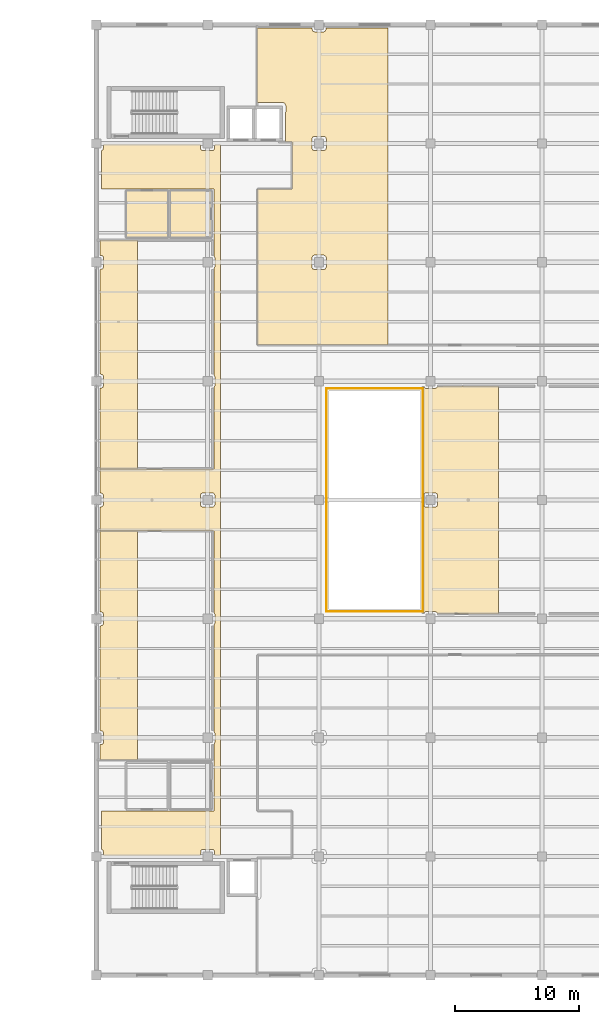
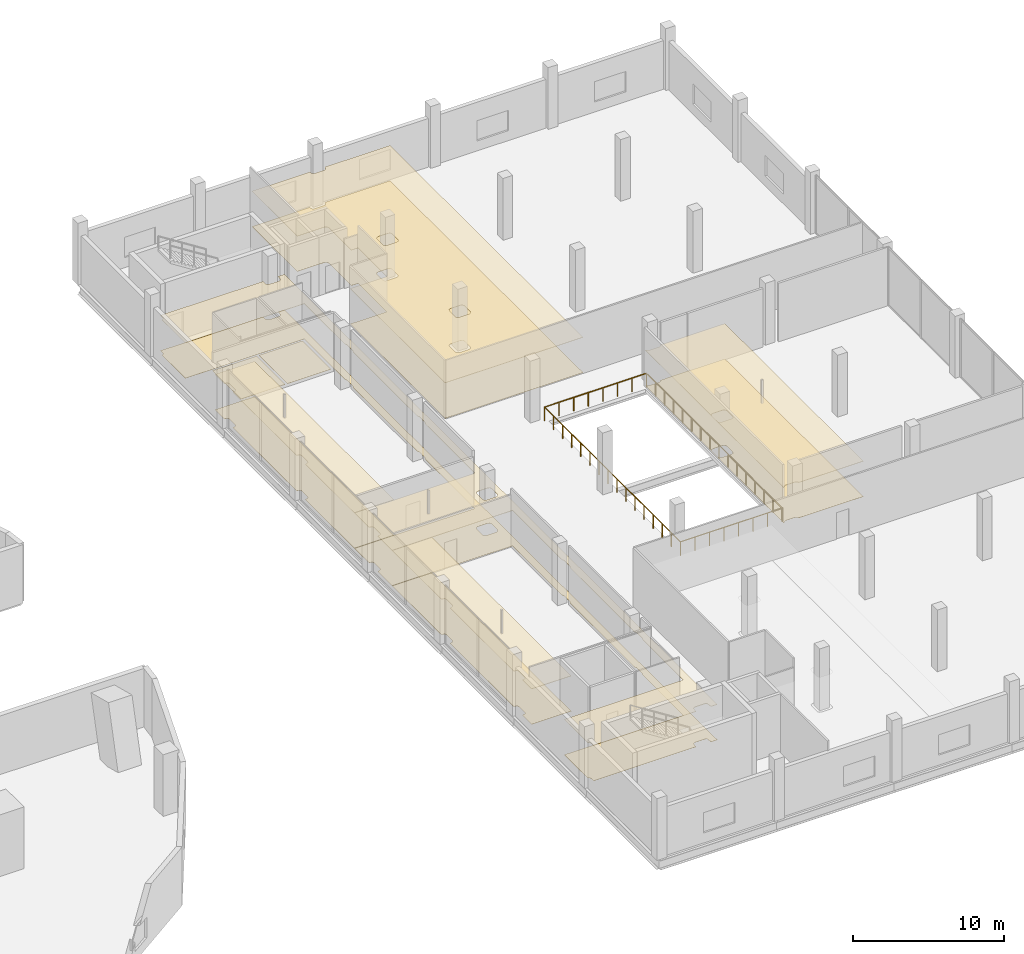
# One storey, part 46 of 47: 12 coverings, 4 railings.
"""IFC4 building model written with IfcOpenShell, lengths in metres."""

from ifc_helpers import new_model, si_unit, direction, frame, origin, origin_2d, place, context, subcontext, project, spatial, polyline, circle, outline, extrude, material, layer, layer_set, type_object, element, save


model = new_model("IFC4")

# Units and contexts
model_context = context("Model", 3, precision=1e-05, world=origin(), true_north=direction((0.0, 1.0)))
body_context = subcontext(model_context, "Body", "Model", "MODEL_VIEW")
ifc_project = project(units=[si_unit("LENGTHUNIT", "METRE"), si_unit("AREAUNIT", "SQUARE_METRE"), si_unit("VOLUMEUNIT", "CUBIC_METRE"), si_unit("PLANEANGLEUNIT", "RADIAN"), si_unit("MASSUNIT", "GRAM", prefix="KILO")], contexts=[model_context])

# Site, building, storey
site_placement = place(None, origin())
site = spatial("IfcSite", under=ifc_project, at=site_placement, CompositionType="ELEMENT")
building_placement = place(site_placement, origin())
building = spatial("IfcBuilding", under=site, at=building_placement, Name="Qorvath Tower", CompositionType="ELEMENT")
storey_placement = place(building_placement, frame((0.0, 0.0, 12.0)))
storey = spatial("IfcBuildingStorey", under=building, at=storey_placement, Name="L02", CompositionType="ELEMENT", Elevation=12.0)

# Coverings
ifc_material_1 = material(Name="Acoustic mineral fibre ceiling tile", Category="gypsum")
ifc_layer_1 = layer(ifc_material_1, 0.030029296875)
ifc_layer_set_1 = layer_set([ifc_layer_1], Name="COV-CEIL")
covering_type_1 = type_object("IfcCoveringType", Name="COV-CEIL", PredefinedType="CEILING", material=ifc_layer_set_1)
covering_1_placement = place(storey_placement, frame((0.0, 0.0, 2.85009765625)))
element("IfcCovering", 1, at=covering_1_placement, inside=storey, type_object=covering_type_1, Name="L02 Suspended Acoustic Ceiling 005", PredefinedType="CEILING", context=body_context, shape_type="SweptSolid", body=[
    extrude(outline(polyline([(41.97998046875, -19.574951171875), (41.92138671875, -19.717529296875), (41.903564453125, -25.12353515625), (32.804931640625, -25.125), (32.804931640625, -28.23193359375), (32.921142578125, -28.28173828125), (32.979736328125, -28.423095703125), (32.97998046875, -28.71240234375), (40.820068359375, -28.699951171875), (40.881591796875, -28.279052734375), (41.02490234375, -28.219970703125), (41.77490234375, -28.219970703125), (41.921142578125, -28.28173828125), (41.97998046875, -28.699951171875), (42.455078125, -28.698486328125), (42.455078125, 28.708251953125), (41.97998046875, 28.7099609375), (41.921142578125, 28.28173828125), (41.77490234375, 28.219970703125), (41.02490234375, 28.219970703125), (40.881591796875, 28.279052734375), (40.820068359375, 28.425048828125), (40.820068359375, 28.7099609375), (32.97998046875, 28.722412109375), (32.979736328125, 28.423095703125), (32.921142578125, 28.28173828125), (32.804931640625, 28.23193359375), (32.804931640625, 25.125), (41.905029296875, 25.1201171875), (41.905029296875, 19.724365234375), (41.97998046875, 19.574951171875), (41.97998046875, 18.824951171875), (41.905029296875, 18.675537109375), (41.905029296875, 10.12451171875), (41.97998046875, 9.97509765625), (41.97998046875, 9.22509765625), (41.905029296875, 9.07568359375), (41.905029296875, 2.5), (32.68505859375, 2.4951171875), (32.68505859375, 0.578857421875), (32.917724609375, 0.521240234375), (32.979736328125, 0.376953125), (32.97998046875, -0.375), (32.917724609375, -0.521240234375), (32.68505859375, -0.578857421875), (32.68505859375, -2.4951171875), (41.903564453125, -2.49658203125), (41.905029296875, -9.07568359375), (41.97998046875, -9.22509765625), (41.97998046875, -9.97509765625), (41.905029296875, -10.12451171875), (41.905029296875, -18.675537109375), (41.97998046875, -18.824951171875), (41.97998046875, -19.574951171875)]), holes=[polyline([(40.87890625, -0.518310546875), (40.820068359375, -0.375), (40.820068359375, 0.375), (40.881591796875, 0.52099609375), (41.02490234375, 0.580078125), (41.77490234375, 0.580078125), (41.921142578125, 0.518310546875), (41.97998046875, 0.375), (41.97998046875, -0.375), (41.918212890625, -0.52099609375), (41.77490234375, -0.580078125), (41.02490234375, -0.580078125), (40.87890625, -0.518310546875)])]), origin(), (0.0, 0.0, 1.0), 0.030029296875),
])
covering_2_placement = place(storey_placement, frame((0.0, 0.0, 2.85009765625)))
element("IfcCovering", 2, at=covering_2_placement, inside=storey, type_object=covering_type_1, Name="L02 Suspended Acoustic Ceiling 006", PredefinedType="CEILING", context=body_context, shape_type="SweptSolid", body=[
    extrude(outline(polyline([(45.405029296875, 38.114990234375), (45.405029296875, 32.110107421875), (47.4599609375, 32.110107421875), (47.63671875, 32.036865234375), (47.7099609375, 31.860107421875), (47.69873046875, 28.9130859375), (48.212890625, 28.907958984375), (48.21142578125, 25.1083984375), (45.4130859375, 25.10693359375), (45.4130859375, 12.512939453125), (55.97509765625, 12.51025390625), (55.97509765625, 38.114990234375), (50.97900390625, 38.114990234375), (50.92138671875, 37.88232421875), (50.77685546875, 37.8203125), (50.02490234375, 37.820068359375), (49.878662109375, 37.88232421875), (49.821044921875, 38.114990234375), (45.405029296875, 38.114990234375)]), holes=[polyline([(50.77685546875, 29.379638671875), (50.921142578125, 29.318359375), (50.97998046875, 29.175048828125), (50.97998046875, 28.425048828125), (50.921142578125, 28.28173828125), (50.77490234375, 28.219970703125), (50.02490234375, 28.219970703125), (49.881591796875, 28.279052734375), (49.820068359375, 28.425048828125), (49.820068359375, 29.175048828125), (49.87890625, 29.318359375), (50.02490234375, 29.3798828125), (50.77685546875, 29.379638671875)]), polyline([(50.921142578125, 19.71826171875), (50.97998046875, 19.574951171875), (50.97998046875, 18.824951171875), (50.918212890625, 18.678955078125), (50.77490234375, 18.6201171875), (50.02490234375, 18.6201171875), (49.87890625, 18.681640625), (49.820068359375, 18.824951171875), (49.820068359375, 19.574951171875), (49.881591796875, 19.720947265625), (50.02490234375, 19.780029296875), (50.77490234375, 19.780029296875), (50.921142578125, 19.71826171875)])]), origin(), (0.0, 0.0, 1.0), 0.030029296875),
])
covering_3_placement = place(storey_placement, frame((0.0, 0.0, 2.85009765625)))
element("IfcCovering", 3, at=covering_3_placement, inside=storey, type_object=covering_type_1, Name="L02 Suspended Acoustic Ceiling 008", PredefinedType="CEILING", context=body_context, shape_type="SweptSolid", body=[
    extrude(outline(polyline([(59.77685546875, -9.020263671875), (59.918212890625, -9.078857421875), (59.964599609375, -9.18701171875), (64.908447265625, -9.192138671875), (64.908447265625, 9.195068359375), (62.008056640625, 9.195068359375), (59.964599609375, 9.18701171875), (59.918212890625, 9.078857421875), (59.77490234375, 9.02001953125), (59.02490234375, 9.02001953125), (58.804931640625, 9.18701171875), (58.804931640625, -9.18701171875), (59.02490234375, -9.02001953125), (59.77685546875, -9.020263671875)]), holes=[polyline([(59.921142578125, 0.518310546875), (59.97998046875, 0.375), (59.97998046875, -0.375), (59.918212890625, -0.52099609375), (59.77490234375, -0.580078125), (59.02490234375, -0.580078125), (58.87890625, -0.518310546875), (58.820068359375, -0.375), (58.820068359375, 0.375), (58.881591796875, 0.52099609375), (59.02490234375, 0.580078125), (59.77490234375, 0.580078125), (59.921142578125, 0.518310546875)])]), origin(), (0.0, 0.0, 1.0), 0.030029296875),
])
covering_4_placement = place(storey_placement, frame((0.0, 0.0, 2.85009765625)))
element("IfcCovering", 4, at=covering_4_placement, inside=storey, type_object=covering_type_1, Name="L02 Suspended Acoustic Ceiling 009", PredefinedType="CEILING", context=body_context, shape_type="SweptSolid", body=[
    extrude(outline(polyline([(32.979736328125, 9.22314453125), (32.917724609375, 9.07861328125), (32.68505859375, 9.02099609375), (32.68505859375, 2.512939453125), (35.7216796875, 2.512939453125), (35.7216796875, 20.9951171875), (32.68505859375, 20.9951171875), (32.68505859375, 19.77880859375), (32.917724609375, 19.72119140625), (32.979736328125, 19.576904296875), (32.97998046875, 18.824951171875), (32.917724609375, 18.6787109375), (32.68505859375, 18.62109375), (32.68505859375, 10.178955078125), (32.917724609375, 10.121337890625), (32.979736328125, 9.976806640625), (32.979736328125, 9.22314453125)])), origin(), (0.0, 0.0, 1.0), 0.030029296875),
])
covering_5_placement = place(storey_placement, frame((0.0, 0.0, 2.85009765625)))
element("IfcCovering", 5, at=covering_5_placement, inside=storey, type_object=covering_type_1, Name="L02 Suspended Acoustic Ceiling 010", PredefinedType="CEILING", context=body_context, shape_type="SweptSolid", body=[
    extrude(outline(polyline([(32.979736328125, -19.576904296875), (32.917724609375, -19.72119140625), (32.68505859375, -19.77880859375), (32.68505859375, -20.9951171875), (35.7216796875, -20.9951171875), (35.7216796875, -2.512939453125), (32.68505859375, -2.512939453125), (32.68505859375, -9.02099609375), (32.917724609375, -9.07861328125), (32.979736328125, -9.22314453125), (32.97998046875, -9.97509765625), (32.917724609375, -10.121337890625), (32.68505859375, -10.178955078125), (32.68505859375, -18.62109375), (32.917724609375, -18.6787109375), (32.979736328125, -18.822998046875), (32.979736328125, -19.576904296875)])), origin(), (0.0, 0.0, 1.0), 0.030029296875),
])
ifc_material_2 = material(Name="Low-VOC modular carpet tile", Category="textile")
ifc_layer_2 = layer(ifc_material_2, 0.014892578125)
ifc_layer_set_2 = layer_set([ifc_layer_2], Name="COV-FLOOR-CPT")
covering_type_2 = type_object("IfcCoveringType", Name="COV-FLOOR-CPT", PredefinedType="FLOORING", material=ifc_layer_set_2)
covering_6_placement = place(storey_placement, origin())
element("IfcCovering", 6, at=covering_6_placement, inside=storey, type_object=covering_type_2, Name="L02 Floor Finish 006", PredefinedType="FLOORING", context=body_context, shape_type="SweptSolid", body=[
    extrude(outline(polyline([(45.405029296875, 38.114990234375), (45.405029296875, 32.110107421875), (47.4599609375, 32.110107421875), (47.63671875, 32.036865234375), (47.7099609375, 31.860107421875), (47.69873046875, 28.9130859375), (48.212890625, 28.907958984375), (48.21142578125, 25.1083984375), (45.4130859375, 25.10693359375), (45.4130859375, 12.512939453125), (55.97509765625, 12.51025390625), (55.97509765625, 38.114990234375), (50.97900390625, 38.114990234375), (50.92138671875, 37.88232421875), (50.77685546875, 37.8203125), (50.02490234375, 37.820068359375), (49.878662109375, 37.88232421875), (49.821044921875, 38.114990234375), (45.405029296875, 38.114990234375)]), holes=[polyline([(50.77685546875, 29.379638671875), (50.921142578125, 29.318359375), (50.97998046875, 29.175048828125), (50.97998046875, 28.425048828125), (50.921142578125, 28.28173828125), (50.77490234375, 28.219970703125), (50.02490234375, 28.219970703125), (49.881591796875, 28.279052734375), (49.820068359375, 28.425048828125), (49.820068359375, 29.175048828125), (49.87890625, 29.318359375), (50.02490234375, 29.3798828125), (50.77685546875, 29.379638671875)]), polyline([(50.921142578125, 19.71826171875), (50.97998046875, 19.574951171875), (50.97998046875, 18.824951171875), (50.918212890625, 18.678955078125), (50.77490234375, 18.6201171875), (50.02490234375, 18.6201171875), (49.87890625, 18.681640625), (49.820068359375, 18.824951171875), (49.820068359375, 19.574951171875), (49.881591796875, 19.720947265625), (50.02490234375, 19.780029296875), (50.77490234375, 19.780029296875), (50.921142578125, 19.71826171875)])]), origin(), (0.0, 0.0, 1.0), 0.014892578125),
])
covering_7_placement = place(storey_placement, origin())
element("IfcCovering", 7, at=covering_7_placement, inside=storey, type_object=covering_type_2, Name="L02 Floor Finish 008", PredefinedType="FLOORING", context=body_context, shape_type="SweptSolid", body=[
    extrude(outline(polyline([(59.77685546875, -9.020263671875), (59.918212890625, -9.078857421875), (59.964599609375, -9.18701171875), (64.908447265625, -9.192138671875), (64.908447265625, 9.195068359375), (62.008056640625, 9.195068359375), (59.964599609375, 9.18701171875), (59.918212890625, 9.078857421875), (59.77490234375, 9.02001953125), (59.02490234375, 9.02001953125), (58.804931640625, 9.18701171875), (58.804931640625, -9.18701171875), (59.02490234375, -9.02001953125), (59.77685546875, -9.020263671875)]), holes=[polyline([(59.921142578125, 0.518310546875), (59.97998046875, 0.375), (59.97998046875, -0.375), (59.918212890625, -0.52099609375), (59.77490234375, -0.580078125), (59.02490234375, -0.580078125), (58.87890625, -0.518310546875), (58.820068359375, -0.375), (58.820068359375, 0.375), (58.881591796875, 0.52099609375), (59.02490234375, 0.580078125), (59.77490234375, 0.580078125), (59.921142578125, 0.518310546875)])]), origin(), (0.0, 0.0, 1.0), 0.014892578125),
])
covering_8_placement = place(storey_placement, origin())
element("IfcCovering", 8, at=covering_8_placement, inside=storey, type_object=covering_type_2, Name="L02 Floor Finish 009", PredefinedType="FLOORING", context=body_context, shape_type="SweptSolid", body=[
    extrude(outline(polyline([(32.979736328125, 9.22314453125), (32.917724609375, 9.07861328125), (32.68505859375, 9.02099609375), (32.68505859375, 2.512939453125), (35.7216796875, 2.512939453125), (35.7216796875, 20.9951171875), (32.68505859375, 20.9951171875), (32.68505859375, 19.77880859375), (32.917724609375, 19.72119140625), (32.979736328125, 19.576904296875), (32.97998046875, 18.824951171875), (32.917724609375, 18.6787109375), (32.68505859375, 18.62109375), (32.68505859375, 10.178955078125), (32.917724609375, 10.121337890625), (32.979736328125, 9.976806640625), (32.979736328125, 9.22314453125)])), origin(), (0.0, 0.0, 1.0), 0.014892578125),
])
covering_9_placement = place(storey_placement, origin())
element("IfcCovering", 9, at=covering_9_placement, inside=storey, type_object=covering_type_2, Name="L02 Floor Finish 010", PredefinedType="FLOORING", context=body_context, shape_type="SweptSolid", body=[
    extrude(outline(polyline([(32.979736328125, -19.576904296875), (32.917724609375, -19.72119140625), (32.68505859375, -19.77880859375), (32.68505859375, -20.9951171875), (35.7216796875, -20.9951171875), (35.7216796875, -2.512939453125), (32.68505859375, -2.512939453125), (32.68505859375, -9.02099609375), (32.917724609375, -9.07861328125), (32.979736328125, -9.22314453125), (32.97998046875, -9.97509765625), (32.917724609375, -10.121337890625), (32.68505859375, -10.178955078125), (32.68505859375, -18.62109375), (32.917724609375, -18.6787109375), (32.979736328125, -18.822998046875), (32.979736328125, -19.576904296875)])), origin(), (0.0, 0.0, 1.0), 0.014892578125),
])
ifc_material_3 = material(Name="Polished epoxy terrazzo flooring", Category="concrete")
ifc_layer_3 = layer(ifc_material_3, 0.02001953125)
ifc_layer_set_3 = layer_set([ifc_layer_3], Name="COV-FLOOR-TRZ")
covering_type_3 = type_object("IfcCoveringType", Name="COV-FLOOR-TRZ", PredefinedType="FLOORING", material=ifc_layer_set_3)
covering_10_placement = place(storey_placement, origin())
element("IfcCovering", 10, at=covering_10_placement, inside=storey, type_object=covering_type_3, Name="L02 Floor Finish 001", PredefinedType="FLOORING", context=body_context, shape_type="SweptSolid", body=[
    extrude(outline(polyline([(38.195068359375, 24.9951171875), (34.804931640625, 24.9951171875), (34.804931640625, 21.205078125), (38.195068359375, 21.205078125), (38.195068359375, 24.9951171875)])), origin(), (0.0, 0.0, 1.0), 0.014892578125),
])
covering_11_placement = place(storey_placement, origin())
element("IfcCovering", 11, at=covering_11_placement, inside=storey, type_object=covering_type_3, Name="L02 Floor Finish 002", PredefinedType="FLOORING", context=body_context, shape_type="SweptSolid", body=[
    extrude(outline(polyline([(41.695068359375, 24.9951171875), (38.35498046875, 24.9951171875), (38.35498046875, 21.205078125), (41.695068359375, 21.205078125), (41.695068359375, 24.9951171875)])), origin(), (0.0, 0.0, 1.0), 0.014892578125),
])
covering_12_placement = place(storey_placement, origin())
element("IfcCovering", 12, at=covering_12_placement, inside=storey, type_object=covering_type_3, Name="L02 Floor Finish 005", PredefinedType="FLOORING", context=body_context, shape_type="SweptSolid", body=[
    extrude(outline(polyline([(41.97998046875, -19.574951171875), (41.92138671875, -19.717529296875), (41.903564453125, -25.12353515625), (32.804931640625, -25.125), (32.804931640625, -28.23193359375), (32.921142578125, -28.28173828125), (32.979736328125, -28.423095703125), (32.97998046875, -28.71240234375), (40.820068359375, -28.699951171875), (40.881591796875, -28.279052734375), (41.02490234375, -28.219970703125), (41.77490234375, -28.219970703125), (41.921142578125, -28.28173828125), (41.97998046875, -28.699951171875), (42.455078125, -28.698486328125), (42.455078125, 28.708251953125), (41.97998046875, 28.7099609375), (41.921142578125, 28.28173828125), (41.77490234375, 28.219970703125), (41.02490234375, 28.219970703125), (40.881591796875, 28.279052734375), (40.820068359375, 28.425048828125), (40.820068359375, 28.7099609375), (32.97998046875, 28.722412109375), (32.979736328125, 28.423095703125), (32.921142578125, 28.28173828125), (32.804931640625, 28.23193359375), (32.804931640625, 25.125), (41.905029296875, 25.1201171875), (41.905029296875, 19.724365234375), (41.97998046875, 19.574951171875), (41.97998046875, 18.824951171875), (41.905029296875, 18.675537109375), (41.905029296875, 10.12451171875), (41.97998046875, 9.97509765625), (41.97998046875, 9.22509765625), (41.905029296875, 9.07568359375), (41.905029296875, 2.5), (32.68505859375, 2.4951171875), (32.68505859375, 0.578857421875), (32.917724609375, 0.521240234375), (32.979736328125, 0.376953125), (32.97998046875, -0.375), (32.917724609375, -0.521240234375), (32.68505859375, -0.578857421875), (32.68505859375, -2.4951171875), (41.903564453125, -2.49658203125), (41.905029296875, -9.07568359375), (41.97998046875, -9.22509765625), (41.97998046875, -9.97509765625), (41.905029296875, -10.12451171875), (41.905029296875, -18.675537109375), (41.97998046875, -18.824951171875), (41.97998046875, -19.574951171875)]), holes=[polyline([(40.87890625, -0.518310546875), (40.820068359375, -0.375), (40.820068359375, 0.375), (40.881591796875, 0.52099609375), (41.02490234375, 0.580078125), (41.77490234375, 0.580078125), (41.921142578125, 0.518310546875), (41.97998046875, 0.375), (41.97998046875, -0.375), (41.918212890625, -0.52099609375), (41.77490234375, -0.580078125), (41.02490234375, -0.580078125), (40.87890625, -0.518310546875)])]), origin(), (0.0, 0.0, 1.0), 0.014892578125),
])

# Railings
ifc_material_4 = material(Name="Stainless steel AISI 316 and laminated glass", Category="steel")
railing_type = type_object("IfcRailingType", Name="RL-ATRIUM-BAL", PredefinedType="BALUSTRADE", material=ifc_material_4)
railing_1_placement = place(storey_placement, frame((51.0, -9.0, 0.0)))
element("IfcRailing", 13, at=railing_1_placement, inside=storey, type_object=railing_type, Name="Library Atrium Balustrade L02-1", PredefinedType="BALUSTRADE", context=body_context, shape_type="SweptSolid", body=[
    extrude(circle(Radius=0.02392578125, at=origin_2d()), frame((0.0, 0.0, 1.09619140625), z_axis=(1.0, 0.0, 0.0), x_axis=(0.0, 1.0, 0.0)), (0.0, 0.0, 1.0), 7.800048828125),
    extrude(circle(Radius=0.02099609375, at=origin_2d()), origin(), (0.0, 0.0, 1.0), 1.072021484375),
    extrude(circle(Radius=0.02099609375, at=origin_2d()), frame((1.1142578125, 0.0, 0.0)), (0.0, 0.0, 1.0), 1.072021484375),
    extrude(circle(Radius=0.02099609375, at=origin_2d()), frame((2.228515625, 0.0, 0.0)), (0.0, 0.0, 1.0), 1.072021484375),
    extrude(circle(Radius=0.02099609375, at=origin_2d()), frame((3.3427734375, 0.0, 0.0)), (0.0, 0.0, 1.0), 1.072021484375),
    extrude(circle(Radius=0.02099609375, at=origin_2d()), frame((4.457275390625, 0.0, 0.0)), (0.0, 0.0, 1.0), 1.072021484375),
    extrude(circle(Radius=0.02099609375, at=origin_2d()), frame((5.571533203125, 0.0, 0.0)), (0.0, 0.0, 1.0), 1.072021484375),
    extrude(circle(Radius=0.02099609375, at=origin_2d()), frame((6.685791015625, 0.0, 0.0)), (0.0, 0.0, 1.0), 1.072021484375),
    extrude(circle(Radius=0.02099609375, at=origin_2d()), frame((7.800048828125, 0.0, 0.0)), (0.0, 0.0, 1.0), 1.072021484375),
])
railing_2_placement = place(storey_placement, frame((58.800048828125, -9.0, 0.0)))
element("IfcRailing", 14, at=railing_2_placement, inside=storey, type_object=railing_type, Name="Library Atrium Balustrade L02-2", PredefinedType="BALUSTRADE", context=body_context, shape_type="SweptSolid", body=[
    extrude(circle(Radius=0.02392578125, at=origin_2d()), frame((0.0, 0.0, 1.09619140625), z_axis=(0.0, 1.0, 0.0), x_axis=(-1.0, 0.0, 0.0)), (0.0, 0.0, 1.0), 18.0),
    extrude(circle(Radius=0.02099609375, at=origin_2d()), origin(), (0.0, 0.0, 1.0), 1.072021484375),
    extrude(circle(Radius=0.02099609375, at=origin_2d()), frame((0.0, 1.199951171875, 0.0)), (0.0, 0.0, 1.0), 1.072021484375),
    extrude(circle(Radius=0.02099609375, at=origin_2d()), frame((0.0, 2.39990234375, 0.0)), (0.0, 0.0, 1.0), 1.072021484375),
    extrude(circle(Radius=0.02099609375, at=origin_2d()), frame((0.0, 3.60009765625, 0.0)), (0.0, 0.0, 1.0), 1.072021484375),
    extrude(circle(Radius=0.02099609375, at=origin_2d()), frame((0.0, 4.800048828125, 0.0)), (0.0, 0.0, 1.0), 1.072021484375),
    extrude(circle(Radius=0.02099609375, at=origin_2d()), frame((0.0, 6.0, 0.0)), (0.0, 0.0, 1.0), 1.072021484375),
    extrude(circle(Radius=0.02099609375, at=origin_2d()), frame((0.0, 7.199951171875, 0.0)), (0.0, 0.0, 1.0), 1.072021484375),
    extrude(circle(Radius=0.02099609375, at=origin_2d()), frame((0.0, 8.39990234375, 0.0)), (0.0, 0.0, 1.0), 1.072021484375),
    extrude(circle(Radius=0.02099609375, at=origin_2d()), frame((0.0, 9.60009765625, 0.0)), (0.0, 0.0, 1.0), 1.072021484375),
    extrude(circle(Radius=0.02099609375, at=origin_2d()), frame((0.0, 10.800048828125, 0.0)), (0.0, 0.0, 1.0), 1.072021484375),
    extrude(circle(Radius=0.02099609375, at=origin_2d()), frame((0.0, 12.0, 0.0)), (0.0, 0.0, 1.0), 1.072021484375),
    extrude(circle(Radius=0.02099609375, at=origin_2d()), frame((0.0, 13.199951171875, 0.0)), (0.0, 0.0, 1.0), 1.072021484375),
    extrude(circle(Radius=0.02099609375, at=origin_2d()), frame((0.0, 14.39990234375, 0.0)), (0.0, 0.0, 1.0), 1.072021484375),
    extrude(circle(Radius=0.02099609375, at=origin_2d()), frame((0.0, 15.60009765625, 0.0)), (0.0, 0.0, 1.0), 1.072021484375),
    extrude(circle(Radius=0.02099609375, at=origin_2d()), frame((0.0, 16.800048828125, 0.0)), (0.0, 0.0, 1.0), 1.072021484375),
    extrude(circle(Radius=0.02099609375, at=origin_2d()), frame((0.0, 18.0, 0.0)), (0.0, 0.0, 1.0), 1.072021484375),
])
railing_3_placement = place(storey_placement, frame((58.800048828125, 9.0, 0.0)))
element("IfcRailing", 15, at=railing_3_placement, inside=storey, type_object=railing_type, Name="Library Atrium Balustrade L02-3", PredefinedType="BALUSTRADE", context=body_context, shape_type="SweptSolid", body=[
    extrude(circle(Radius=0.02392578125, at=origin_2d()), frame((0.0, 0.0, 1.09619140625), z_axis=(-1.0, 0.0, 0.0), x_axis=(0.0, -1.0, 0.0)), (0.0, 0.0, 1.0), 7.800048828125),
    extrude(circle(Radius=0.02099609375, at=origin_2d()), origin(), (0.0, 0.0, 1.0), 1.072021484375),
    extrude(circle(Radius=0.02099609375, at=origin_2d()), frame((-1.1142578125, 0.0, 0.0)), (0.0, 0.0, 1.0), 1.072021484375),
    extrude(circle(Radius=0.02099609375, at=origin_2d()), frame((-2.228515625, 0.0, 0.0)), (0.0, 0.0, 1.0), 1.072021484375),
    extrude(circle(Radius=0.02099609375, at=origin_2d()), frame((-3.3427734375, 0.0, 0.0)), (0.0, 0.0, 1.0), 1.072021484375),
    extrude(circle(Radius=0.02099609375, at=origin_2d()), frame((-4.457275390625, 0.0, 0.0)), (0.0, 0.0, 1.0), 1.072021484375),
    extrude(circle(Radius=0.02099609375, at=origin_2d()), frame((-5.571533203125, 0.0, 0.0)), (0.0, 0.0, 1.0), 1.072021484375),
    extrude(circle(Radius=0.02099609375, at=origin_2d()), frame((-6.685791015625, 0.0, 0.0)), (0.0, 0.0, 1.0), 1.072021484375),
    extrude(circle(Radius=0.02099609375, at=origin_2d()), frame((-7.800048828125, 0.0, 0.0)), (0.0, 0.0, 1.0), 1.072021484375),
])
railing_4_placement = place(storey_placement, frame((51.0, 9.0, 0.0)))
element("IfcRailing", 16, at=railing_4_placement, inside=storey, type_object=railing_type, Name="Library Atrium Balustrade L02-4", PredefinedType="BALUSTRADE", context=body_context, shape_type="SweptSolid", body=[
    extrude(circle(Radius=0.02392578125, at=origin_2d()), frame((0.0, 0.0, 1.09619140625), z_axis=(0.0, -1.0, 0.0), x_axis=(1.0, 0.0, 0.0)), (0.0, 0.0, 1.0), 18.0),
    extrude(circle(Radius=0.02099609375, at=origin_2d()), origin(), (0.0, 0.0, 1.0), 1.072021484375),
    extrude(circle(Radius=0.02099609375, at=origin_2d()), frame((0.0, -1.199951171875, 0.0)), (0.0, 0.0, 1.0), 1.072021484375),
    extrude(circle(Radius=0.02099609375, at=origin_2d()), frame((0.0, -2.39990234375, 0.0)), (0.0, 0.0, 1.0), 1.072021484375),
    extrude(circle(Radius=0.02099609375, at=origin_2d()), frame((0.0, -3.60009765625, 0.0)), (0.0, 0.0, 1.0), 1.072021484375),
    extrude(circle(Radius=0.02099609375, at=origin_2d()), frame((0.0, -4.800048828125, 0.0)), (0.0, 0.0, 1.0), 1.072021484375),
    extrude(circle(Radius=0.02099609375, at=origin_2d()), frame((0.0, -6.0, 0.0)), (0.0, 0.0, 1.0), 1.072021484375),
    extrude(circle(Radius=0.02099609375, at=origin_2d()), frame((0.0, -7.199951171875, 0.0)), (0.0, 0.0, 1.0), 1.072021484375),
    extrude(circle(Radius=0.02099609375, at=origin_2d()), frame((0.0, -8.39990234375, 0.0)), (0.0, 0.0, 1.0), 1.072021484375),
    extrude(circle(Radius=0.02099609375, at=origin_2d()), frame((0.0, -9.60009765625, 0.0)), (0.0, 0.0, 1.0), 1.072021484375),
    extrude(circle(Radius=0.02099609375, at=origin_2d()), frame((0.0, -10.800048828125, 0.0)), (0.0, 0.0, 1.0), 1.072021484375),
    extrude(circle(Radius=0.02099609375, at=origin_2d()), frame((0.0, -12.0, 0.0)), (0.0, 0.0, 1.0), 1.072021484375),
    extrude(circle(Radius=0.02099609375, at=origin_2d()), frame((0.0, -13.199951171875, 0.0)), (0.0, 0.0, 1.0), 1.072021484375),
    extrude(circle(Radius=0.02099609375, at=origin_2d()), frame((0.0, -14.39990234375, 0.0)), (0.0, 0.0, 1.0), 1.072021484375),
    extrude(circle(Radius=0.02099609375, at=origin_2d()), frame((0.0, -15.60009765625, 0.0)), (0.0, 0.0, 1.0), 1.072021484375),
    extrude(circle(Radius=0.02099609375, at=origin_2d()), frame((0.0, -16.800048828125, 0.0)), (0.0, 0.0, 1.0), 1.072021484375),
    extrude(circle(Radius=0.02099609375, at=origin_2d()), frame((0.0, -18.0, 0.0)), (0.0, 0.0, 1.0), 1.072021484375),
])

save(model, "model.ifc")
